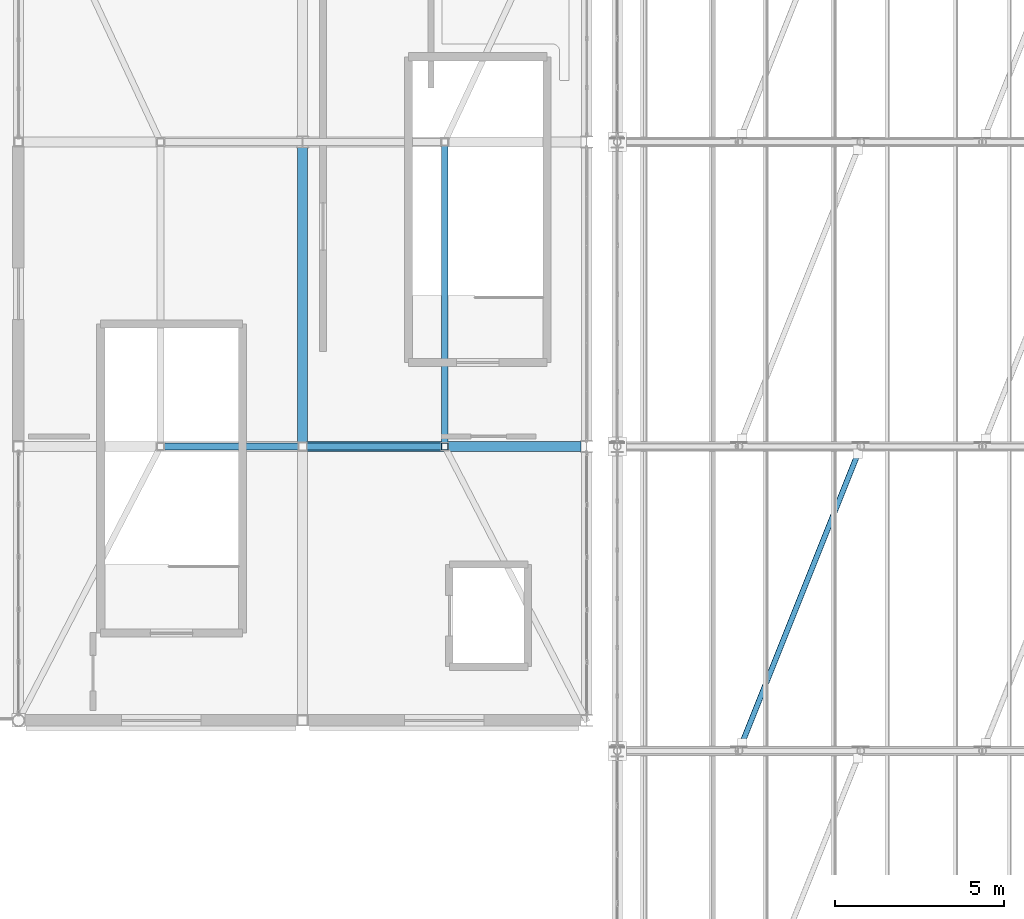
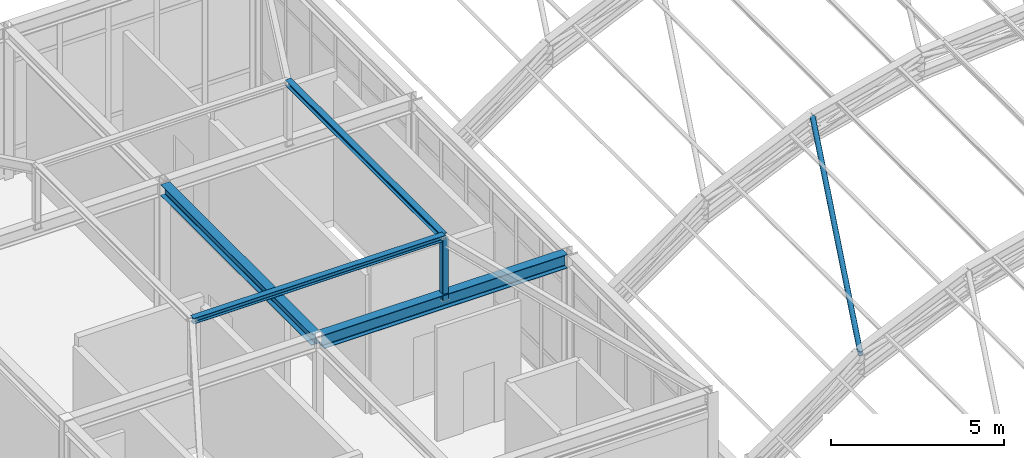
# One storey, part 51 of 121: 4 members, 2 beams.
"""IFC4 building model written with IfcOpenShell, lengths in metres."""

from ifc_helpers import new_model, si_unit, direction, frame, origin, origin_2d, place, context, subcontext, project, spatial, hollow_rectangle, hollow_circle, i_section, extrude, material, material_profile, profile_set, type_object, element, save


model = new_model("IFC4")

# Units and contexts
model_context = context("Model", 3, precision=1e-05, world=origin(), true_north=direction((0.0, 1.0)))
body_context = subcontext(model_context, "Body", "Model", "MODEL_VIEW")
ifc_project = project(units=[si_unit("LENGTHUNIT", "METRE"), si_unit("AREAUNIT", "SQUARE_METRE"), si_unit("VOLUMEUNIT", "CUBIC_METRE"), si_unit("PLANEANGLEUNIT", "RADIAN"), si_unit("MASSUNIT", "GRAM", prefix="KILO")], contexts=[model_context])

# Site, building, storey
site_placement = place(None, origin())
site = spatial("IfcSite", under=ifc_project, at=site_placement, CompositionType="ELEMENT")
building_placement = place(site_placement, origin())
building = spatial("IfcBuilding", under=site, at=building_placement, Name="Canglan Escarpment Cableway Terminal", CompositionType="ELEMENT")
storey_placement = place(building_placement, frame((0.0, 0.0, 24.60009765625)))
storey = spatial("IfcBuildingStorey", under=building, at=storey_placement, Name="L05", CompositionType="ELEMENT", Elevation=24.60009765625)

# Beams
ifc_material = material(Name="Steel Q355B", Category="steel")
ifc_material_profile_1 = material_profile(ifc_material, i_section(OverallWidth=0.300048828125, OverallDepth=0.389892578125, WebThickness=0.010009765625, FlangeThickness=0.01611328125, FilletRadius=0.02197265625, at=origin_2d()), Name="HM 390x300x10x16")
ifc_profile_set_1 = profile_set([ifc_material_profile_1], Name="Steel Q355B")
beam_type_1 = type_object("IfcBeamType", Name="BM-HM390", PredefinedType="BEAM", material=ifc_profile_set_1)
beam_1_placement = place(storey_placement, frame((128.300048828125, 97.114990234375, 5.139892578125), z_axis=(0.0, 1.0, 0.0), x_axis=(-1.0, 0.0, 0.0)))
element("IfcBeam", 1, at=beam_1_placement, inside=storey, type_object=beam_type_1, Name="Drive House roof transverse tie girder B-11", PredefinedType="BEAM", context=body_context, shape_type="SweptSolid", body=[
    extrude(i_section(OverallWidth=0.300048828125, OverallDepth=0.389892578125, WebThickness=0.010009765625, FlangeThickness=0.01611328125, FilletRadius=0.02197265625, at=origin_2d()), origin(), (0.0, 0.0, 1.0), 8.719970703125),
])
ifc_material_profile_2 = material_profile(ifc_material, i_section(OverallWidth=0.300048828125, OverallDepth=0.488037109375, WebThickness=0.010986328125, FlangeThickness=0.01806640625, FilletRadius=0.02587890625, at=origin_2d()), Name="HM 488x300x11x18")
ifc_profile_set_2 = profile_set([ifc_material_profile_2], Name="Steel Q355B")
beam_type_2 = type_object("IfcBeamType", Name="BM-HM488", PredefinedType="BEAM", material=ifc_profile_set_2)
beam_2_placement = place(storey_placement, frame((128.4150390625, 97.0, 5.139892578125), z_axis=(1.0, 0.0, 0.0), x_axis=(0.0, 1.0, 0.0)))
element("IfcBeam", 2, at=beam_2_placement, inside=storey, type_object=beam_type_2, Name="Drive House roof eave tie girder B-09", PredefinedType="BEAM", context=body_context, shape_type="SweptSolid", body=[
    extrude(i_section(OverallWidth=0.300048828125, OverallDepth=0.488037109375, WebThickness=0.010986328125, FlangeThickness=0.01806640625, FilletRadius=0.02587890625, at=origin_2d()), origin(), (0.0, 0.0, 1.0), 8.119873046875),
])

# Members
ifc_material_profile_3 = material_profile(ifc_material, i_section(OverallWidth=0.199951171875, OverallDepth=0.199951171875, WebThickness=0.008056640625, FlangeThickness=0.011962890625, FilletRadius=0.012939453125, at=origin_2d()), Name="HW 200x200x8x12")
ifc_profile_set_3 = profile_set([ifc_material_profile_3], Name="Steel Q355B")
member_type_1 = type_object("IfcMemberType", Name="MB-HIP-TIE-HW200", PredefinedType="CHORD", material=ifc_profile_set_3)
member_1_placement = place(storey_placement, frame((124.10009765625, 97.0, 7.33984375), z_axis=(1.0, 0.0, 0.0), x_axis=(0.0, 1.0, 0.0)))
element("IfcMember", 3, at=member_1_placement, inside=storey, type_object=member_type_1, Name="Drive House lantern ring chord RF-CH1", PredefinedType="CHORD", context=body_context, shape_type="SweptSolid", body=[
    extrude(i_section(OverallWidth=0.199951171875, OverallDepth=0.199951171875, WebThickness=0.008056640625, FlangeThickness=0.011962890625, FilletRadius=0.012939453125, at=origin_2d()), origin(), (0.0, 0.0, 1.0), 8.39990234375),
])
member_2_placement = place(storey_placement, frame((132.5, 97.0, 7.33984375), z_axis=(0.0, 1.0, 0.0), x_axis=(-1.0, 0.0, 0.0)))
element("IfcMember", 4, at=member_2_placement, inside=storey, type_object=member_type_1, Name="Drive House lantern ring chord RF-CH1", PredefinedType="CHORD", context=body_context, shape_type="SweptSolid", body=[
    extrude(i_section(OverallWidth=0.199951171875, OverallDepth=0.199951171875, WebThickness=0.008056640625, FlangeThickness=0.011962890625, FilletRadius=0.012939453125, at=origin_2d()), origin(), (0.0, 0.0, 1.0), 9.0),
])
ifc_material_profile_4 = material_profile(ifc_material, hollow_rectangle(XDim=0.199951171875, YDim=0.199951171875, WallThickness=0.008056640625, InnerFilletRadius=0.008056640625, OuterFilletRadius=0.01611328125, at=origin_2d()), Name="SHS 200x200x8")
ifc_profile_set_4 = profile_set([ifc_material_profile_4], Name="Steel Q355B")
member_type_2 = type_object("IfcMemberType", Name="MB-PRATT-WEB-SHS200", PredefinedType="BRACE", material=ifc_profile_set_4)
member_3_placement = place(storey_placement, frame((132.5, 97.0, 5.139892578125), z_axis=(0.0, 0.0, 1.0), x_axis=(1.0, 0.0, 0.0)))
element("IfcMember", 5, at=member_3_placement, inside=storey, type_object=member_type_2, Name="Drive House lantern ROOF TRUSS strut PT-WB1", PredefinedType="BRACE", context=body_context, shape_type="SweptSolid", body=[
    extrude(hollow_rectangle(XDim=0.199951171875, YDim=0.199951171875, WallThickness=0.008056640625, InnerFilletRadius=0.008056640625, OuterFilletRadius=0.01611328125, at=origin_2d()), origin(), (0.0, 0.0, 1.0), 2.199951171875),
])
ifc_material_profile_5 = material_profile(ifc_material, hollow_circle(Radius=0.084228515625, WallThickness=0.006103515625, at=origin_2d()), Name="CHS 168.3x6")
ifc_profile_set_5 = profile_set([ifc_material_profile_5], Name="Steel Q355B")
member_type_3 = type_object("IfcMemberType", Name="MB-ROOF-BR-CHS168", PredefinedType="BRACE", material=ifc_profile_set_5)
member_4_placement = place(storey_placement, frame((141.199951171875, 88.0, 5.616455078125), z_axis=(0.366307573698, 0.915744093096, 0.165019748547), x_axis=(-0.928473216852, 0.37139936132, 0.0)))
element("IfcMember", 6, at=member_4_placement, inside=storey, type_object=member_type_3, Name="Vault roof plane wind brace BR-03", PredefinedType="BRACE", context=body_context, shape_type="SweptSolid", body=[
    extrude(hollow_circle(Radius=0.084228515625, WallThickness=0.006103515625, at=origin_2d()), origin(), (0.0, 0.0, 1.0), 9.828125),
])

save(model, "model.ifc")
